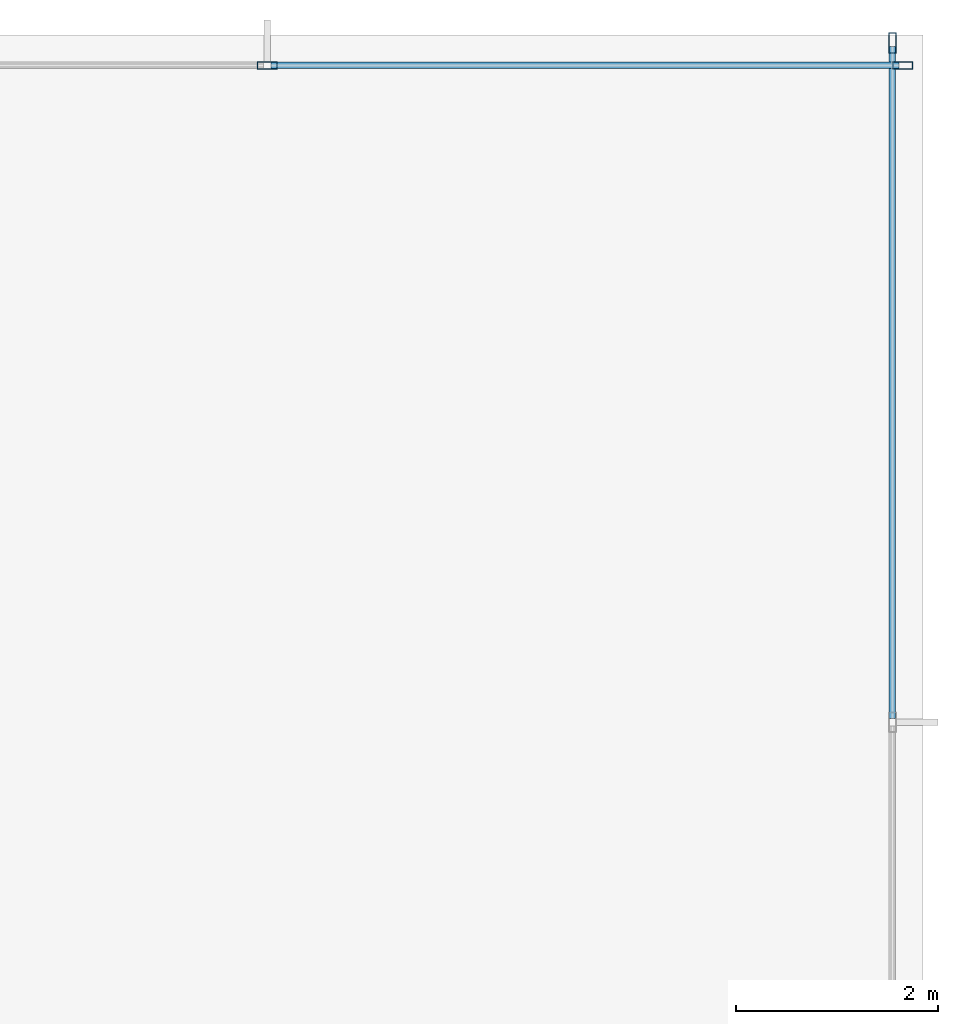
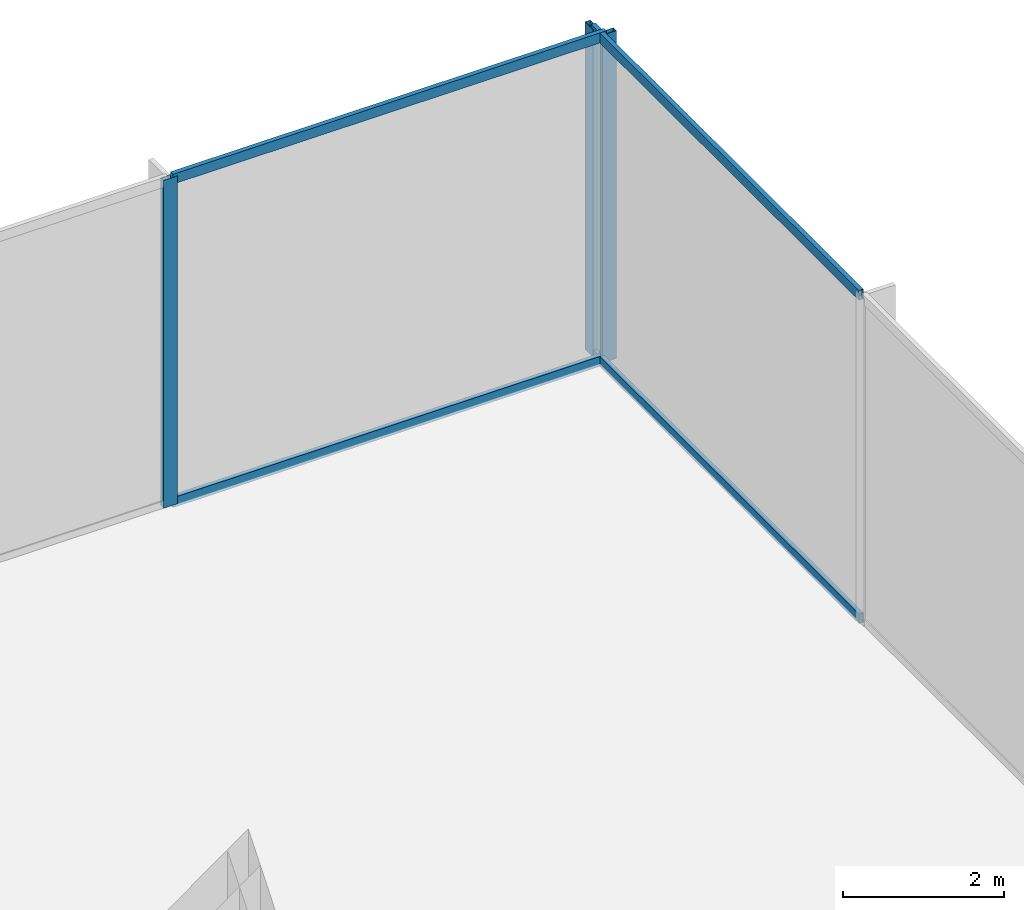
# One storey, part 32 of 43: 7 members, 2 elements without a shape of their own.
"""IFC4 building model written with IfcOpenShell, lengths in metres."""

import ifcopenshell
import ifcopenshell.guid

model = None  # the IFC model being written
_history = None  # IfcOwnerHistory: only IFC2X3 demands one
_inside = {}  # id of a spatial element -> (the spatial element, [elements in it])
_under = {}  # id of a project, library or spatial element -> (it, [spatial elements below it])
_declared = {}  # id of a project -> (the project, [libraries it declares])
_typed = {}  # id of a type object -> (the type object, [elements of that type])
_made_of = {}  # id of a material, layer set ... -> (it, [elements and type objects made of it])


def new_model(schema):
    """Start an empty IFC model of exactly this schema.

    Asked for "IFC4X3", IfcOpenShell would pick the latest addendum, in which some entities
    have other attributes; the version numbers below select the first issue.
    IFC2X3 requires an IfcOwnerHistory on every rooted entity: one is made here for all.
    """
    global model, _history
    if schema == "IFC4X3":
        model = ifcopenshell.file(schema_version=(4, 3, 0, 0))
    else:
        model = ifcopenshell.file(schema=schema)
    _inside.clear()
    _under.clear()
    _declared.clear()
    _typed.clear()
    _made_of.clear()
    _history = None
    if model.schema == "IFC2X3":
        org = make("IfcOrganization", Name="unknown")
        user = make(
            "IfcPersonAndOrganization",
            ThePerson=make("IfcPerson", FamilyName="unknown"),
            TheOrganization=org,
        )
        app = make(
            "IfcApplication",
            ApplicationDeveloper=org,
            Version="unknown",
            ApplicationFullName="unknown",
            ApplicationIdentifier="unknown",
        )
        _history = make(
            "IfcOwnerHistory",
            OwningUser=user,
            OwningApplication=app,
            ChangeAction="ADDED",
            CreationDate=0,
        )
    return model


def make(cls, **values):
    """One entity of the class cls with the attributes given. An attribute that is None is left unset."""
    return model.create_entity(
        cls, **{name: value for name, value in values.items() if value is not None}
    )


def rooted(cls, **values):
    """An entity with a GlobalId (a new one), such as an element, a storey or a relation."""
    return make(cls, GlobalId=ifcopenshell.guid.new(), OwnerHistory=_history, **values)


def si_unit(unit_type, name, prefix=None):
    """IfcSIUnit, for example si_unit("LENGTHUNIT", "METRE", prefix="MILLI")."""
    return make("IfcSIUnit", UnitType=unit_type, Prefix=prefix, Name=name)


def assignment(units):
    """IfcUnitAssignment: the units of a project."""
    return None if units is None else make("IfcUnitAssignment", Units=units)


def point(xyz):
    """IfcCartesianPoint."""
    return None if xyz is None else make("IfcCartesianPoint", Coordinates=xyz)


def direction(xyz):
    """IfcDirection."""
    return None if xyz is None else make("IfcDirection", DirectionRatios=xyz)


def frame(location, z_axis=None, x_axis=None):
    """IfcAxis2Placement3D, a coordinate frame: its origin and axes. An axis left out is left unset."""
    return make(
        "IfcAxis2Placement3D",
        Location=point(location),
        Axis=direction(z_axis),
        RefDirection=direction(x_axis),
    )


def frame_2d(location, x_axis=None):
    """IfcAxis2Placement2D, a coordinate frame in the plane: its origin and x axis."""
    return make(
        "IfcAxis2Placement2D", Location=point(location), RefDirection=direction(x_axis)
    )


def origin():
    """The frame at (0, 0, 0) with its axes left unset."""
    return frame((0.0, 0.0, 0.0))


def origin_2d():
    """The frame at (0, 0) in the plane with its x axis left unset."""
    return frame_2d((0.0, 0.0))


def place(relative_to, where):
    """IfcLocalPlacement: puts the frame where relative to a parent placement (None: the world)."""
    return make(
        "IfcLocalPlacement", PlacementRelTo=relative_to, RelativePlacement=where
    )


def context(
    kind, dimensions, precision=None, world=None, true_north=None, identifier=None
):
    """IfcGeometricRepresentationContext, for example the 3D "Model" context."""
    return make(
        "IfcGeometricRepresentationContext",
        ContextIdentifier=identifier,
        ContextType=kind,
        CoordinateSpaceDimension=dimensions,
        Precision=precision,
        WorldCoordinateSystem=world,
        TrueNorth=true_north,
    )


def subcontext(parent, identifier, kind, view, scale=None):
    """IfcGeometricRepresentationSubContext, for example "Body" below "Model"."""
    return make(
        "IfcGeometricRepresentationSubContext",
        ContextIdentifier=identifier,
        ContextType=kind,
        ParentContext=parent,
        TargetScale=scale,
        TargetView=view,
    )


def project(units=None, contexts=None):
    """IfcProject with its units and contexts."""
    return rooted(
        "IfcProject",
        Name="project",
        RepresentationContexts=contexts,
        UnitsInContext=assignment(units),
    )


def spatial(cls, under=None, at=None, **own):
    """A site, building, storey or space (cls), placed at a placement, below another one or the project."""
    s = rooted(cls, ObjectPlacement=at, **own)
    if under is not None:
        _under.setdefault(under.id(), (under, []))[1].append(s)
    return s


def profile(cls, at=None, kind="AREA", **sizes):
    """A parametric profile (cls). Its sizes go by their IFC names, for example OverallWidth=200.0."""
    return make(cls, ProfileType=kind, Position=at, **sizes)


def hollow_rectangle(**sizes):
    """IfcRectangleHollowProfileDef."""
    return profile("IfcRectangleHollowProfileDef", **sizes)


def extrude(swept, where, along, depth):
    """IfcExtrudedAreaSolid: the profile swept, set in the frame where, extruded along a direction by depth."""
    return make(
        "IfcExtrudedAreaSolid",
        SweptArea=swept,
        Position=where,
        ExtrudedDirection=direction(along),
        Depth=depth,
    )


def shape(context_of_items, identifier, shape_type, items):
    """IfcShapeRepresentation: the items that make up one representation, for example the "Body"."""
    return make(
        "IfcShapeRepresentation",
        ContextOfItems=context_of_items,
        RepresentationIdentifier=identifier,
        RepresentationType=shape_type,
        Items=items,
    )


def material(Name=None, Category=None):
    """IfcMaterial."""
    return make("IfcMaterial", Name=Name, Category=Category)


def layer(
    of_material, thickness, ventilated=None, Name=None, Category=None, Priority=None
):
    """IfcMaterialLayer: one layer of a wall or slab, of a material (None: an air gap)."""
    return make(
        "IfcMaterialLayer",
        Material=of_material,
        LayerThickness=thickness,
        IsVentilated=ventilated,
        Name=Name,
        Category=Category,
        Priority=Priority,
    )


def layer_set(layers, Name=None):
    """IfcMaterialLayerSet."""
    return make("IfcMaterialLayerSet", MaterialLayers=layers, LayerSetName=Name)


def material_profile(
    of_material, cross_section, Name=None, Category=None, Priority=None
):
    """IfcMaterialProfile: a cross section and its material."""
    return make(
        "IfcMaterialProfile",
        Name=Name,
        Material=of_material,
        Profile=cross_section,
        Priority=Priority,
        Category=Category,
    )


def profile_set(profiles, Name=None, composite=None):
    """IfcMaterialProfileSet."""
    return make(
        "IfcMaterialProfileSet",
        Name=Name,
        MaterialProfiles=profiles,
        CompositeProfile=composite,
    )


def made_of(thing, what):
    """Note that an element or type object is made of a material, layer set ...; save() writes the relation."""
    if what is not None:
        _made_of.setdefault(what.id(), (what, []))[1].append(thing)
    return thing


def type_object(cls, material=None, **own):
    """A type object (cls), such as IfcWallType, which elements share."""
    return made_of(rooted(cls, **own), material)


def element(
    cls,
    number,
    at=None,
    inside=None,
    cuts=None,
    type_object=None,
    material=None,
    context=None,
    identifier="Body",
    shape_type=None,
    held_by="IfcProductDefinitionShape",
    body=None,
    shapes=None,
    **own,
):
    """One element of the class cls, such as IfcWall. Its Tag is "e" and its number.

    at: its placement. inside: the storey or other place that contains it. cuts: it is an
    opening in that element (IfcRelVoidsElement). A single representation is given by context,
    identifier, shape_type and body (its items); several are given by shapes. held_by: the class
    of the entity that holds the representations. save() writes the other relations.
    """
    e = rooted(cls, Tag="e%d" % number, ObjectPlacement=at, **own)
    if body is not None:
        shapes = [shape(context, identifier, shape_type, body)]
    if shapes is not None:
        e.Representation = make(held_by, Representations=shapes)
    if inside is not None:
        _inside.setdefault(inside.id(), (inside, []))[1].append(e)
    if cuts is not None:
        rooted(
            "IfcRelVoidsElement", RelatingBuildingElement=cuts, RelatedOpeningElement=e
        )
    if type_object is not None:
        _typed.setdefault(type_object.id(), (type_object, []))[1].append(e)
    return made_of(e, material)


def aggregate(whole, parts):
    """IfcRelAggregates: a whole, such as a stair, and the parts it consists of."""
    return rooted("IfcRelAggregates", RelatingObject=whole, RelatedObjects=parts)


def save(model, path):
    """Write the relations noted so far, then the file.

    IfcRelAggregates (storeys below a building ...), IfcRelContainedInSpatialStructure (elements
    in a storey), IfcRelDefinesByType, IfcRelAssociatesMaterial and IfcRelDeclares: one each for
    every whole, place, type object, material and project.
    """
    for whole, parts in _under.values():
        aggregate(whole, parts)
    for where, things in _inside.values():
        rooted(
            "IfcRelContainedInSpatialStructure",
            RelatedElements=things,
            RelatingStructure=where,
        )
    for kind, things in _typed.values():
        rooted("IfcRelDefinesByType", RelatedObjects=things, RelatingType=kind)
    for what, things in _made_of.values():
        rooted("IfcRelAssociatesMaterial", RelatedObjects=things, RelatingMaterial=what)
    for by, libraries in _declared.values():
        rooted("IfcRelDeclares", RelatingContext=by, RelatedDefinitions=libraries)
    model.write(path)


model = new_model("IFC4")

# Units and contexts
model_context = context("Model", 3, precision=1e-05, world=origin(), true_north=direction((0.0, 1.0)))
body_context = subcontext(model_context, "Body", "Model", "MODEL_VIEW")
ifc_project = project(units=[si_unit("LENGTHUNIT", "METRE"), si_unit("AREAUNIT", "SQUARE_METRE"), si_unit("VOLUMEUNIT", "CUBIC_METRE"), si_unit("PLANEANGLEUNIT", "RADIAN"), si_unit("MASSUNIT", "GRAM", prefix="KILO")], contexts=[model_context])

# Site, building, storey
site_placement = place(None, origin())
site = spatial("IfcSite", under=ifc_project, at=site_placement, CompositionType="ELEMENT")
building_placement = place(site_placement, origin())
building = spatial("IfcBuilding", under=site, at=building_placement, Name="Orvanel Arch Residences", CompositionType="ELEMENT")
storey_placement = place(building_placement, frame((0.0, 0.0, 18.39990234375)))
storey = spatial("IfcBuildingStorey", under=building, at=storey_placement, Name="L04", CompositionType="ELEMENT", Elevation=18.39990234375)

# Curtain wall, members
ifc_material = material(Name="Bronze-anodised aluminium AA6063-T6", Category="aluminium")
ifc_layer = layer(ifc_material, 0.199951171875)
ifc_layer_set = layer_set([ifc_layer], Name="Bronze-anodised aluminium AA6063-T6")
curtain_wall_type = type_object("IfcCurtainWallType", Name="CW1-POD-SYS", PredefinedType="NOTDEFINED", material=ifc_layer_set)
curtain_wall_1_placement = place(storey_placement, origin())
curtain_wall_1 = element("IfcCurtainWall", 1, at=curtain_wall_1_placement, inside=storey, type_object=curtain_wall_type, Name="L04 CW1-POD-SYS Unitised Curtain Wall", PredefinedType="NOTDEFINED")
ifc_material_profile_1 = material_profile(ifc_material, hollow_rectangle(XDim=0.074951171875, YDim=0.199951171875, WallThickness=0.0048828125, at=origin_2d()), Name="ALU200x75x5")
ifc_profile_set_1 = profile_set([ifc_material_profile_1], Name="Bronze-anodised aluminium AA6063-T6")
member_type_1 = type_object("IfcMemberType", Name="MUL-200x75", PredefinedType="MULLION", material=ifc_profile_set_1)
member_1_placement = place(storey_placement, frame((64.552490234375, 54.25, 0.0), z_axis=(0.0, 0.0, 1.0), x_axis=(0.0, -1.0, 0.0)))
member_1 = element("IfcMember", 2, at=member_1_placement, type_object=member_type_1, Name="CW-S1 mullion 1", PredefinedType="MULLION", context=body_context, shape_type="SweptSolid", body=[
    extrude(hollow_rectangle(XDim=0.074951171875, YDim=0.199951171875, WallThickness=0.0048828125, at=origin_2d()), origin(), (0.0, 0.0, 1.0), 4.960205078125),
])
member_2_placement = place(storey_placement, frame((58.27197265625, 54.25, 0.0), z_axis=(0.0, 0.0, 1.0), x_axis=(0.0, -1.0, 0.0)))
member_2 = element("IfcMember", 3, at=member_2_placement, type_object=member_type_1, Name="CW-S1 mullion 2", PredefinedType="MULLION", context=body_context, shape_type="SweptSolid", body=[
    extrude(hollow_rectangle(XDim=0.074951171875, YDim=0.199951171875, WallThickness=0.0048828125, at=origin_2d()), origin(), (0.0, 0.0, 1.0), 4.960205078125),
])

# Curtain wall, member
curtain_wall_2_placement = place(storey_placement, origin())
curtain_wall_2 = element("IfcCurtainWall", 4, at=curtain_wall_2_placement, inside=storey, type_object=curtain_wall_type, Name="L04 CW1-POD-SYS Unitised Curtain Wall", PredefinedType="NOTDEFINED")
member_3_placement = place(storey_placement, frame((64.449951171875, 54.472412109375, 0.0), z_axis=(0.0, 0.0, 1.0), x_axis=(-1.0, 0.0, 0.0)))
member_3 = element("IfcMember", 5, at=member_3_placement, type_object=member_type_1, Name="CW-S1 mullion 9", PredefinedType="MULLION", context=body_context, shape_type="SweptSolid", body=[
    extrude(hollow_rectangle(XDim=0.074951171875, YDim=0.199951171875, WallThickness=0.0048828125, at=origin_2d()), origin(), (0.0, 0.0, 1.0), 4.960205078125),
])

# Member
ifc_material_profile_2 = material_profile(ifc_material, hollow_rectangle(XDim=0.06494140625, YDim=0.14990234375, WallThickness=0.00390625, at=origin_2d()), Name="ALU150x65x4")
ifc_profile_set_2 = profile_set([ifc_material_profile_2], Name="Bronze-anodised aluminium AA6063-T6")
member_type_2 = type_object("IfcMemberType", Name="TRN-150x65", PredefinedType="USERDEFINED", material=ifc_profile_set_2)
member_4_placement = place(storey_placement, frame((64.514892578125, 54.25, 0.03271484375), z_axis=(-1.0, 0.0, 0.0), x_axis=(0.0, -1.0, 0.0)))
member_4 = element("IfcMember", 6, at=member_4_placement, type_object=member_type_2, Name="CW-S1 transom 1.1", ObjectType="TRANSOM", PredefinedType="USERDEFINED", context=body_context, shape_type="SweptSolid", body=[
    extrude(hollow_rectangle(XDim=0.06494140625, YDim=0.14990234375, WallThickness=0.00390625, at=origin_2d()), origin(), (0.0, 0.0, 1.0), 6.205322265625),
])

member_5_placement = place(storey_placement, frame((64.514892578125, 54.25, 4.927490234375), z_axis=(-1.0, 0.0, 0.0), x_axis=(0.0, -1.0, 0.0)))
member_5 = element("IfcMember", 7, at=member_5_placement, type_object=member_type_2, Name="CW-S1 transom 1.2", ObjectType="TRANSOM", PredefinedType="USERDEFINED", context=body_context, shape_type="SweptSolid", body=[
    extrude(hollow_rectangle(XDim=0.06494140625, YDim=0.14990234375, WallThickness=0.00390625, at=origin_2d()), origin(), (0.0, 0.0, 1.0), 6.205322265625),
])

aggregate(curtain_wall_1, [member_1, member_2, member_4, member_5])

member_6_placement = place(storey_placement, frame((64.449951171875, 47.794921875, 0.03271484375), z_axis=(0.0, 1.0, 0.0), x_axis=(-1.0, 0.0, 0.0)))
member_6 = element("IfcMember", 8, at=member_6_placement, type_object=member_type_2, Name="CW-S1 transom 8.1", ObjectType="TRANSOM", PredefinedType="USERDEFINED", context=body_context, shape_type="SweptSolid", body=[
    extrude(hollow_rectangle(XDim=0.06494140625, YDim=0.14990234375, WallThickness=0.00390625, at=origin_2d()), origin(), (0.0, 0.0, 1.0), 6.64013671875),
])

member_7_placement = place(storey_placement, frame((64.449951171875, 47.794921875, 4.927490234375), z_axis=(0.0, 1.0, 0.0), x_axis=(-1.0, 0.0, 0.0)))
member_7 = element("IfcMember", 9, at=member_7_placement, type_object=member_type_2, Name="CW-S1 transom 8.2", ObjectType="TRANSOM", PredefinedType="USERDEFINED", context=body_context, shape_type="SweptSolid", body=[
    extrude(hollow_rectangle(XDim=0.06494140625, YDim=0.14990234375, WallThickness=0.00390625, at=origin_2d()), origin(), (0.0, 0.0, 1.0), 6.64013671875),
])

aggregate(curtain_wall_2, [member_3, member_6, member_7])

save(model, "model.ifc")
